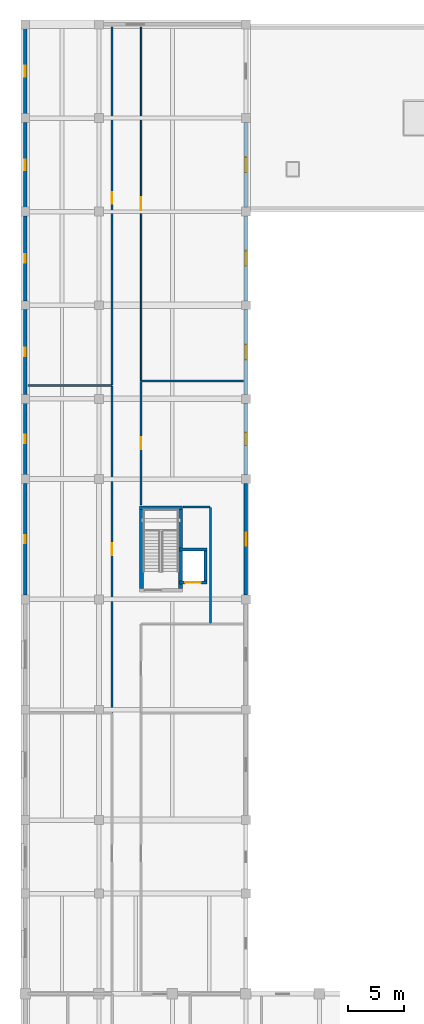
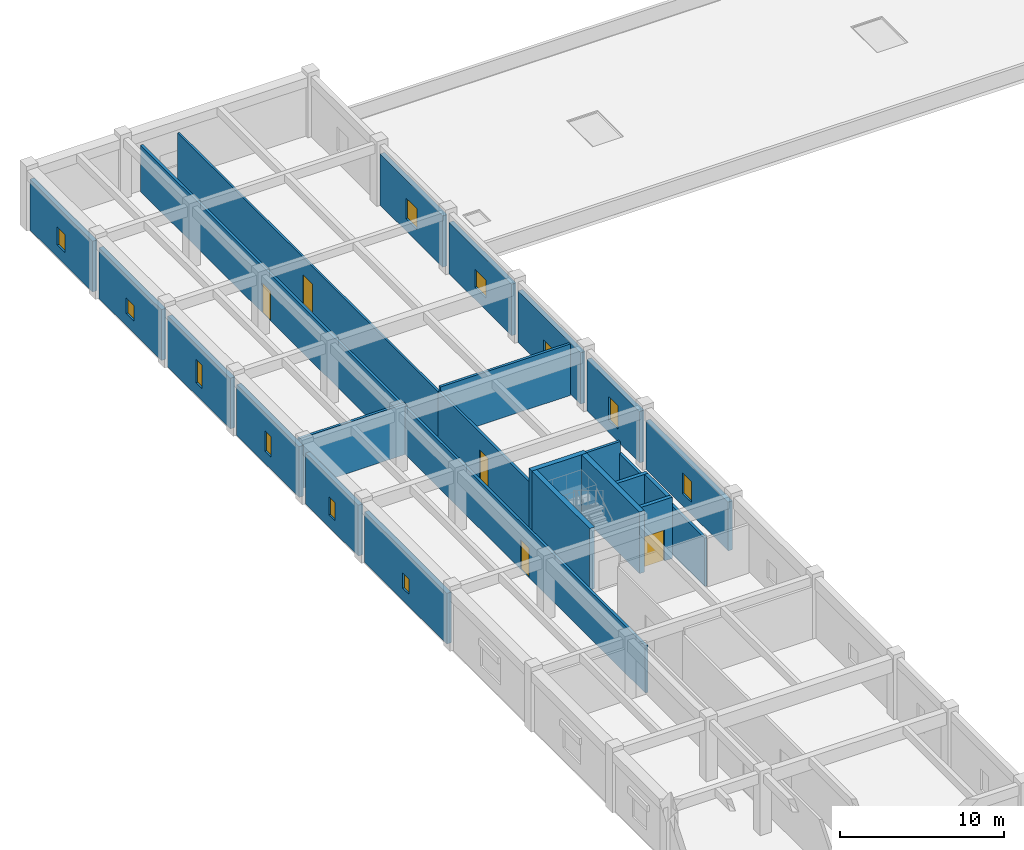
# One storey, part 51 of 65: 25 walls, 11 windows, 5 doors, 16 openings.
"""IFC4 building model written with IfcOpenShell, lengths in metres."""

from ifc_helpers import new_model, si_unit, direction, frame, frame_2d, origin, place, context, subcontext, project, spatial, rectangle, extrude, material, layer, layer_set, type_object, element, fill, save


model = new_model("IFC4")

# Units and contexts
model_context = context("Model", 3, precision=1e-05, world=origin(), true_north=direction((0.0, 1.0)))
body_context = subcontext(model_context, "Body", "Model", "MODEL_VIEW")
ifc_project = project(units=[si_unit("LENGTHUNIT", "METRE"), si_unit("AREAUNIT", "SQUARE_METRE"), si_unit("VOLUMEUNIT", "CUBIC_METRE"), si_unit("PLANEANGLEUNIT", "RADIAN"), si_unit("MASSUNIT", "GRAM", prefix="KILO")], contexts=[model_context])

# Site, building, storey
site_placement = place(None, origin())
site = spatial("IfcSite", under=ifc_project, at=site_placement, CompositionType="ELEMENT")
building_placement = place(site_placement, origin())
building = spatial("IfcBuilding", under=site, at=building_placement, Name="Miralva Faculty of Natural Sciences", CompositionType="ELEMENT")
storey_placement = place(building_placement, frame((0.0, 0.0, 10.199951171875)))
storey = spatial("IfcBuildingStorey", under=building, at=storey_placement, Name="L02", CompositionType="ELEMENT", Elevation=10.199951171875)

# Walls
ifc_material_1 = material(Name="Concrete C50/60", Category="concrete")
ifc_layer_1 = layer(ifc_material_1, 0.35009765625, Name="WL-CW02")
ifc_layer_set_1 = layer_set([ifc_layer_1], Name="Concrete C50/60")
wall_type_1 = type_object("IfcWallType", Name="WL-CW02", PredefinedType="SHEAR", material=ifc_layer_set_1)
wall_1_placement = place(storey_placement, frame((13.25, 73.625, 0.0), z_axis=(0.0, 0.0, 1.0), x_axis=(1.0, 0.0, 0.0)))
element("IfcWall", 1, at=wall_1_placement, inside=storey, type_object=wall_type_1, Name="Core C2 shear wall north L02", PredefinedType="SHEAR", context=body_context, shape_type="SweptSolid", body=[
    extrude(rectangle(XDim=3.85009765625, YDim=0.35009765625, at=frame_2d((1.925048828125, 0.0))), origin(), (0.0, 0.0, 1.0), 4.580078125),
])
for number, where, z_axis, x_axis, name in (
    (2, (13.425048828125, 66.39990234375, 0.0), (0.0, 0.0, 1.0), (0.0, 1.0, 0.0), "Core C2 shear wall west L02"),
    (3, (16.925048828125, 66.39990234375, 0.0), (0.0, 0.0, 1.0), (0.0, 1.0, 0.0), "Core C2 shear wall east L02"),
):
    element("IfcWall", number, at=place(storey_placement, frame(where, z_axis=z_axis, x_axis=x_axis)), inside=storey, type_object=wall_type_1, Name=name, PredefinedType="SHEAR", context=body_context, shape_type="SweptSolid", body=[
        extrude(rectangle(XDim=7.050048828125, YDim=0.35009765625, at=frame_2d((3.52490234375, 0.0))), origin(), (0.0, 0.0, 1.0), 4.580078125),
    ])

# Wall, opening, door
ifc_material_2 = material(Name="Concrete C40/50", Category="concrete")
ifc_layer_2 = layer(ifc_material_2, 0.25, Name="WL-CW04")
ifc_layer_set_2 = layer_set([ifc_layer_2], Name="Concrete C40/50")
wall_type_2 = type_object("IfcWallType", Name="WL-CW04", PredefinedType="SHEAR", material=ifc_layer_set_2)
wall_2_placement = place(storey_placement, frame((16.804931640625, 66.929931640625, 0.0), z_axis=(0.0, 0.0, 1.0), x_axis=(1.0, 0.0, 0.0)))
wall_2 = element("IfcWall", 4, at=wall_2_placement, inside=storey, type_object=wall_type_2, Name="Lift L-04 hoistway front wall L02", PredefinedType="SHEAR", context=body_context, shape_type="SweptSolid", body=[
    extrude(rectangle(XDim=2.489990234375, YDim=0.25, at=frame_2d((1.2451171875, 0.0))), origin(), (0.0, 0.0, 1.0), 4.56005859375),
])
opening_1_placement = place(wall_2_placement, frame((0.544921875, 0.0, 0.0)))
opening_1 = element("IfcOpeningElement", 5, at=opening_1_placement, cuts=wall_2, Name="Opening LD-04", PredefinedType="OPENING", context=body_context, shape_type="SweptSolid", body=[
    extrude(rectangle(XDim=1.39990234375, YDim=2.300048828125, at=frame_2d((0.699951171875, 1.14990234375))), frame((0.0, 0.135009765625, 0.0), z_axis=(0.0, -1.0, 0.0), x_axis=(1.0, 0.0, 0.0)), (0.0, 0.0, 1.0), 0.27001953125),
])
ifc_material_3 = material(Name="Galvanised steel", Category="steel")
door_type_1 = type_object("IfcDoorType", Name="DR-LD04", OperationType="DOUBLE_DOOR_SLIDING", PredefinedType="DOOR", material=ifc_material_3)
door_1_placement = place(opening_1_placement, frame((1.39990234375, 0.0, 0.0), z_axis=(0.0, 0.0, 1.0), x_axis=(-1.0, 0.0, 0.0)))
door_1 = element("IfcDoor", 6, at=door_1_placement, inside=storey, type_object=door_type_1, Name="Lift L-04 sliding landing door L02", OperationType="DOUBLE_DOOR_SLIDING", OverallHeight=2.300048828125, OverallWidth=1.39990234375, PredefinedType="DOOR", context=body_context, shape_type="SweptSolid", body=[
    extrude(rectangle(XDim=1.39990234375, YDim=2.300048828125, at=frame_2d((0.699951171875, 1.14990234375))), frame((0.0, 0.02490234375, 0.0), z_axis=(0.0, -1.0, 0.0), x_axis=(1.0, 0.0, 0.0)), (0.0, 0.0, 1.0), 0.050048828125),
])
fill(opening_1, door_1)

# Walls
wall_3_placement = place(storey_placement, frame((16.804931640625, 69.8701171875, 0.0), z_axis=(0.0, 0.0, 1.0), x_axis=(1.0, 0.0, 0.0)))
element("IfcWall", 7, at=wall_3_placement, inside=storey, type_object=wall_type_2, Name="Lift L-04 hoistway rear wall L02", PredefinedType="SHEAR", context=body_context, shape_type="SweptSolid", body=[
    extrude(rectangle(XDim=2.489990234375, YDim=0.25, at=frame_2d((1.2451171875, 0.0))), origin(), (0.0, 0.0, 1.0), 4.56005859375),
])
wall_4_placement = place(storey_placement, frame((19.169921875, 67.054931640625, 0.0), z_axis=(0.0, 0.0, 1.0), x_axis=(0.0, 1.0, 0.0)))
element("IfcWall", 8, at=wall_4_placement, inside=storey, type_object=wall_type_2, Name="Lift L-04 hoistway E wall L02", PredefinedType="SHEAR", context=body_context, shape_type="SweptSolid", body=[
    extrude(rectangle(XDim=2.690185546875, YDim=0.25, at=frame_2d((1.34521484375, 0.0))), origin(), (0.0, 0.0, 1.0), 4.56005859375),
])
ifc_material_4 = material(Name="Gypsum plasterboard")
ifc_layer_3 = layer(ifc_material_4, 0.179931640625, Name="WL-PT02")
ifc_layer_set_3 = layer_set([ifc_layer_3], Name="Gypsum plasterboard")
wall_type_3 = type_object("IfcWallType", Name="WL-PT02", PredefinedType="PARTITIONING", material=ifc_layer_set_3)
wall_5_placement = place(storey_placement, frame((3.22998046875, 84.60009765625, 0.0), z_axis=(0.0, 0.0, 1.0), x_axis=(1.0, 0.0, 0.0)))
element("IfcWall", 9, at=wall_5_placement, inside=storey, type_object=wall_type_3, Name="Interior partition PT-02 L02-311", PredefinedType="PARTITIONING", context=body_context, shape_type="SweptSolid", body=[
    extrude(rectangle(XDim=7.5400390625, YDim=0.179931640625, at=frame_2d((3.77001953125, 0.0))), origin(), (0.0, 0.0, 1.0), 3.775146484375),
])

# Wall, opening, door
wall_6_placement = place(storey_placement, frame((10.800048828125, 55.22998046875, 0.0), z_axis=(0.0, 0.0, 1.0), x_axis=(0.0, 1.0, 0.0)))
wall_6 = element("IfcWall", 10, at=wall_6_placement, inside=storey, type_object=wall_type_3, Name="Interior partition PT-02 L02-312", PredefinedType="PARTITIONING", context=body_context, shape_type="SweptSolid", body=[
    extrude(rectangle(XDim=29.340087890625, YDim=0.179931640625, at=frame_2d((14.669921875, 0.0))), origin(), (0.0, 0.0, 1.0), 3.51513671875),
])
opening_2_placement = place(wall_6_placement, frame((14.14501953125, 0.0, 0.0)))
opening_2 = element("IfcOpeningElement", 11, at=opening_2_placement, cuts=wall_6, Name="Opening D-15", PredefinedType="OPENING", context=body_context, shape_type="SweptSolid", body=[
    extrude(rectangle(XDim=1.050048828125, YDim=2.199951171875, at=frame_2d((0.52490234375, 1.10009765625))), frame((0.0, 0.099853515625, 0.0), z_axis=(0.0, -1.0, 0.0), x_axis=(1.0, 0.0, 0.0)), (0.0, 0.0, 1.0), 0.199951171875),
])
door_type_2 = type_object("IfcDoorType", Name="DR-DI15", OperationType="NOTDEFINED", PredefinedType="DOOR", material=ifc_material_3)
door_2_placement = place(opening_2_placement, origin())
door_2 = element("IfcDoor", 12, at=door_2_placement, inside=storey, type_object=door_type_2, Name="Interior door D-15 L02-116", OperationType="SINGLE_SWING_LEFT", OverallHeight=2.199951171875, OverallWidth=1.050048828125, PredefinedType="DOOR", context=body_context, shape_type="SweptSolid", body=[
    extrude(rectangle(XDim=1.050048828125, YDim=2.199951171875, at=frame_2d((0.52490234375, 1.10009765625))), frame((0.0, 0.02490234375, 0.0), z_axis=(0.0, -1.0, 0.0), x_axis=(1.0, 0.0, 0.0)), (0.0, 0.0, 1.0), 0.050048828125),
])
fill(opening_2, door_2)

# Wall
wall_7_placement = place(storey_placement, frame((13.429931640625, 85.0, 0.0), z_axis=(0.0, 0.0, 1.0), x_axis=(1.0, 0.0, 0.0)))
element("IfcWall", 13, at=wall_7_placement, inside=storey, type_object=wall_type_3, Name="Interior partition PT-02 L02-313", PredefinedType="PARTITIONING", context=body_context, shape_type="SweptSolid", body=[
    extrude(rectangle(XDim=9.14013671875, YDim=0.179931640625, at=frame_2d((4.570068359375, 0.0))), origin(), (0.0, 0.0, 1.0), 3.824951171875),
])

# Wall, opening, door
wall_8_placement = place(storey_placement, frame((13.39990234375, 73.853271484375, 0.0), z_axis=(0.0, 0.0, 1.0), x_axis=(0.0, 1.0, 0.0)))
wall_8 = element("IfcWall", 14, at=wall_8_placement, inside=storey, type_object=wall_type_3, Name="Interior partition PT-02 L02-314", PredefinedType="PARTITIONING", context=body_context, shape_type="SweptSolid", body=[
    extrude(rectangle(XDim=11.11669921875, YDim=0.179931640625, at=frame_2d((5.558349609375, 0.0))), origin(), (0.0, 0.0, 1.0), 3.51513671875),
])
opening_3_placement = place(wall_8_placement, frame((5.033447265625, 0.0, 0.0)))
opening_3 = element("IfcOpeningElement", 15, at=opening_3_placement, cuts=wall_8, Name="Opening D-15", PredefinedType="OPENING", context=body_context, shape_type="SweptSolid", body=[
    extrude(rectangle(XDim=1.050048828125, YDim=2.199951171875, at=frame_2d((0.52490234375, 1.10009765625))), frame((0.0, 0.099853515625, 0.0), z_axis=(0.0, -1.0, 0.0), x_axis=(1.0, 0.0, 0.0)), (0.0, 0.0, 1.0), 0.199951171875),
])
door_3_placement = place(opening_3_placement, origin())
door_3 = element("IfcDoor", 16, at=door_3_placement, inside=storey, type_object=door_type_2, Name="Interior door D-15 L02-117", OperationType="SINGLE_SWING_RIGHT", OverallHeight=2.199951171875, OverallWidth=1.050048828125, PredefinedType="DOOR", context=body_context, shape_type="SweptSolid", body=[
    extrude(rectangle(XDim=1.050048828125, YDim=2.199951171875, at=frame_2d((0.52490234375, 1.10009765625))), frame((0.0, 0.02490234375, 0.0), z_axis=(0.0, -1.0, 0.0), x_axis=(1.0, 0.0, 0.0)), (0.0, 0.0, 1.0), 0.050048828125),
])
fill(opening_3, door_3)

# Walls
wall_9_placement = place(storey_placement, frame((19.60009765625, 63.22998046875, 0.0), z_axis=(0.0, 0.0, 1.0), x_axis=(0.0, 1.0, 0.0)))
element("IfcWall", 17, at=wall_9_placement, inside=storey, type_object=wall_type_3, Name="Interior partition PT-02 L02-315", PredefinedType="PARTITIONING", context=body_context, shape_type="SweptSolid", body=[
    extrude(rectangle(XDim=10.43994140625, YDim=0.179931640625, at=frame_2d((5.219970703125, 0.0))), origin(), (0.0, 0.0, 1.0), 3.594970703125),
])
wall_10_placement = place(storey_placement, frame((17.140380859375, 73.699951171875, 0.0), z_axis=(0.0, 0.0, 1.0), x_axis=(1.0, 0.0, 0.0)))
element("IfcWall", 18, at=wall_10_placement, inside=storey, type_object=wall_type_3, Name="Interior partition PT-02 L02-316", PredefinedType="PARTITIONING", context=body_context, shape_type="SweptSolid", body=[
    extrude(rectangle(XDim=2.4296875, YDim=0.179931640625, at=frame_2d((1.21484375, 0.0))), origin(), (0.0, 0.0, 1.0), 4.47998046875),
])

# Wall, opening, door
wall_11_placement = place(storey_placement, frame((10.800048828125, 84.6298828125, 0.0), z_axis=(0.0, 0.0, 1.0), x_axis=(0.0, 1.0, 0.0)))
wall_11 = element("IfcWall", 19, at=wall_11_placement, inside=storey, type_object=wall_type_3, Name="Interior partition PT-02 L02-317", PredefinedType="PARTITIONING", context=body_context, shape_type="SweptSolid", body=[
    extrude(rectangle(XDim=32.14013671875, YDim=0.179931640625, at=frame_2d((16.070068359375, 0.0))), origin(), (0.0, 0.0, 1.0), 3.455078125),
])
opening_4_placement = place(wall_11_placement, frame((16.264892578125, 0.0, 0.0)))
opening_4 = element("IfcOpeningElement", 20, at=opening_4_placement, cuts=wall_11, Name="Opening D-15", PredefinedType="OPENING", context=body_context, shape_type="SweptSolid", body=[
    extrude(rectangle(XDim=1.050048828125, YDim=2.199951171875, at=frame_2d((0.52490234375, 1.10009765625))), frame((0.0, 0.099853515625, 0.0), z_axis=(0.0, -1.0, 0.0), x_axis=(1.0, 0.0, 0.0)), (0.0, 0.0, 1.0), 0.199951171875),
])
door_4_placement = place(opening_4_placement, origin())
door_4 = element("IfcDoor", 21, at=door_4_placement, inside=storey, type_object=door_type_2, Name="Interior door D-15 L02-118", OperationType="SINGLE_SWING_LEFT", OverallHeight=2.199951171875, OverallWidth=1.050048828125, PredefinedType="DOOR", context=body_context, shape_type="SweptSolid", body=[
    extrude(rectangle(XDim=1.050048828125, YDim=2.199951171875, at=frame_2d((0.52490234375, 1.10009765625))), frame((0.0, 0.02490234375, 0.0), z_axis=(0.0, -1.0, 0.0), x_axis=(1.0, 0.0, 0.0)), (0.0, 0.0, 1.0), 0.050048828125),
])
fill(opening_4, door_4)

ifc_layer_4 = layer(ifc_material_4, 0.139892578125, Name="WL-PT04")
ifc_layer_set_4 = layer_set([ifc_layer_4], Name="Gypsum plasterboard")
wall_type_4 = type_object("IfcWallType", Name="WL-PT04", PredefinedType="PARTITIONING", material=ifc_layer_set_4)
wall_12_placement = place(storey_placement, frame((13.39990234375, 85.030029296875, 0.0), z_axis=(0.0, 0.0, 1.0), x_axis=(0.0, 1.0, 0.0)))
wall_12 = element("IfcWall", 22, at=wall_12_placement, inside=storey, type_object=wall_type_4, Name="Interior partition PT-04 L02-318", PredefinedType="PARTITIONING", context=body_context, shape_type="SweptSolid", body=[
    extrude(rectangle(XDim=31.739990234375, YDim=0.139892578125, at=frame_2d((15.8701171875, 0.0))), origin(), (0.0, 0.0, 1.0), 3.455078125),
])
opening_5_placement = place(wall_12_placement, frame((15.294921875, 0.0, 0.0)))
opening_5 = element("IfcOpeningElement", 23, at=opening_5_placement, cuts=wall_12, Name="Opening D-24", PredefinedType="OPENING", context=body_context, shape_type="SweptSolid", body=[
    extrude(rectangle(XDim=1.14990234375, YDim=2.14990234375, at=frame_2d((0.574951171875, 1.074951171875))), frame((0.0, 0.079833984375, 0.0), z_axis=(0.0, -1.0, 0.0), x_axis=(1.0, 0.0, 0.0)), (0.0, 0.0, 1.0), 0.159912109375),
])
ifc_material_5 = material(Name="Anodised aluminium", Category="aluminium")
door_type_3 = type_object("IfcDoorType", Name="DR-DI24", OperationType="NOTDEFINED", PredefinedType="DOOR", material=ifc_material_5)
door_5_placement = place(opening_5_placement, origin())
door_5 = element("IfcDoor", 24, at=door_5_placement, inside=storey, type_object=door_type_3, Name="Interior door D-24 L02-119", OperationType="SINGLE_SWING_RIGHT", OverallHeight=2.14990234375, OverallWidth=1.14990234375, PredefinedType="DOOR", context=body_context, shape_type="SweptSolid", body=[
    extrude(rectangle(XDim=1.14990234375, YDim=2.14990234375, at=frame_2d((0.574951171875, 1.074951171875))), frame((0.0, 0.02490234375, 0.0), z_axis=(0.0, -1.0, 0.0), x_axis=(1.0, 0.0, 0.0)), (0.0, 0.0, 1.0), 0.050048828125),
])
fill(opening_5, door_5)

# Wall, opening, window
ifc_material_6 = material(Name="Precast concrete C40/50", Category="concrete")
ifc_layer_5 = layer(ifc_material_6, 0.320068359375, Name="WL-WT02")
ifc_layer_set_5 = layer_set([ifc_layer_5], Name="Precast concrete C40/50")
wall_type_5 = type_object("IfcWallType", Name="WL-WT02", PredefinedType="SOLIDWALL", material=ifc_layer_set_5)
wall_13_placement = place(storey_placement, frame((3.0, 65.784912109375, 0.0), z_axis=(0.0, 0.0, 1.0), x_axis=(0.0, 1.0, 0.0)))
wall_13 = element("IfcWall", 25, at=wall_13_placement, inside=storey, type_object=wall_type_5, Name="Exterior wall L02-216", PredefinedType="SOLIDWALL", context=body_context, shape_type="SweptSolid", body=[
    extrude(rectangle(XDim=10.030029296875, YDim=0.320068359375, at=frame_2d((5.01513671875, 0.0))), origin(), (0.0, 0.0, 1.0), 3.775146484375),
])
opening_6_placement = place(wall_13_placement, frame((4.639892578125, 0.0, 0.89990234375)))
opening_6 = element("IfcOpeningElement", 26, at=opening_6_placement, cuts=wall_13, Name="Opening W-41", PredefinedType="OPENING", context=body_context, shape_type="SweptSolid", body=[
    extrude(rectangle(XDim=0.75, YDim=1.14990234375, at=frame_2d((0.375, 0.574951171875))), frame((0.0, 0.169921875, 0.0), z_axis=(0.0, -1.0, 0.0), x_axis=(1.0, 0.0, 0.0)), (0.0, 0.0, 1.0), 0.340087890625),
])
ifc_material_7 = material(Name="Laminated solar-control glass", Category="glass")
window_type_1 = type_object("IfcWindowType", Name="WN-W41", PartitioningType="DOUBLE_PANEL_VERTICAL", PredefinedType="WINDOW", material=ifc_material_7)
window_1_placement = place(opening_6_placement, origin())
window_1 = element("IfcWindow", 27, at=window_1_placement, inside=storey, type_object=window_type_1, Name="Window W-41 L02-153", OverallHeight=1.14990234375, OverallWidth=0.75, PartitioningType="DOUBLE_PANEL_VERTICAL", PredefinedType="WINDOW", context=body_context, shape_type="SweptSolid", body=[
    extrude(rectangle(XDim=0.75, YDim=1.14990234375, at=frame_2d((0.375, 0.574951171875))), frame((0.0, 0.030029296875, 0.0), z_axis=(0.0, -1.0, 0.0), x_axis=(1.0, 0.0, 0.0)), (0.0, 0.0, 1.0), 0.06005859375),
])
fill(opening_6, window_1)

wall_14_placement = place(storey_placement, frame((3.0, 76.5849609375, 0.0), z_axis=(0.0, 0.0, 1.0), x_axis=(0.0, 1.0, 0.0)))
wall_14 = element("IfcWall", 28, at=wall_14_placement, inside=storey, type_object=wall_type_5, Name="Exterior wall L02-217", PredefinedType="SOLIDWALL", context=body_context, shape_type="SweptSolid", body=[
    extrude(rectangle(XDim=6.429931640625, YDim=0.320068359375, at=frame_2d((3.21484375, 0.0))), origin(), (0.0, 0.0, 1.0), 3.775146484375),
])
opening_7_placement = place(wall_14_placement, frame((2.840087890625, 0.0, 0.89990234375)))
opening_7 = element("IfcOpeningElement", 29, at=opening_7_placement, cuts=wall_14, Name="Opening W-42", PredefinedType="OPENING", context=body_context, shape_type="SweptSolid", body=[
    extrude(rectangle(XDim=0.75, YDim=1.35009765625, at=frame_2d((0.375, 0.675048828125))), frame((0.0, 0.169921875, 0.0), z_axis=(0.0, -1.0, 0.0), x_axis=(1.0, 0.0, 0.0)), (0.0, 0.0, 1.0), 0.340087890625),
])
window_type_2 = type_object("IfcWindowType", Name="WN-W42", PartitioningType="DOUBLE_PANEL_VERTICAL", PredefinedType="WINDOW", material=ifc_material_7)
window_2_placement = place(opening_7_placement, origin())
window_2 = element("IfcWindow", 30, at=window_2_placement, inside=storey, type_object=window_type_2, Name="Window W-42 L02-154", OverallHeight=1.35009765625, OverallWidth=0.75, PartitioningType="DOUBLE_PANEL_VERTICAL", PredefinedType="WINDOW", context=body_context, shape_type="SweptSolid", body=[
    extrude(rectangle(XDim=0.75, YDim=1.35009765625, at=frame_2d((0.375, 0.675048828125))), frame((0.0, 0.030029296875, 0.0), z_axis=(0.0, -1.0, 0.0), x_axis=(1.0, 0.0, 0.0)), (0.0, 0.0, 1.0), 0.06005859375),
])
fill(opening_7, window_2)

wall_15_placement = place(storey_placement, frame((3.0, 83.784912109375, 0.0), z_axis=(0.0, 0.0, 1.0), x_axis=(0.0, 1.0, 0.0)))
wall_15 = element("IfcWall", 31, at=wall_15_placement, inside=storey, type_object=wall_type_5, Name="Exterior wall L02-218", PredefinedType="SOLIDWALL", context=body_context, shape_type="SweptSolid", body=[
    extrude(rectangle(XDim=7.630126953125, YDim=0.320068359375, at=frame_2d((3.81494140625, 0.0))), origin(), (0.0, 0.0, 1.0), 3.775146484375),
])
opening_8_placement = place(wall_15_placement, frame((3.43994140625, 0.0, 0.89990234375)))
opening_8 = element("IfcOpeningElement", 32, at=opening_8_placement, cuts=wall_15, Name="Opening W-43", PredefinedType="OPENING", context=body_context, shape_type="SweptSolid", body=[
    extrude(rectangle(XDim=0.75, YDim=1.550048828125, at=frame_2d((0.375, 0.77490234375))), frame((0.0, 0.169921875, 0.0), z_axis=(0.0, -1.0, 0.0), x_axis=(1.0, 0.0, 0.0)), (0.0, 0.0, 1.0), 0.340087890625),
])
window_type_3 = type_object("IfcWindowType", Name="WN-W43", PartitioningType="DOUBLE_PANEL_VERTICAL", PredefinedType="WINDOW", material=ifc_material_7)
window_3_placement = place(opening_8_placement, origin())
window_3 = element("IfcWindow", 33, at=window_3_placement, inside=storey, type_object=window_type_3, Name="Window W-43 L02-155", OverallHeight=1.550048828125, OverallWidth=0.75, PartitioningType="DOUBLE_PANEL_VERTICAL", PredefinedType="WINDOW", context=body_context, shape_type="SweptSolid", body=[
    extrude(rectangle(XDim=0.75, YDim=1.550048828125, at=frame_2d((0.375, 0.77490234375))), frame((0.0, 0.030029296875, 0.0), z_axis=(0.0, -1.0, 0.0), x_axis=(1.0, 0.0, 0.0)), (0.0, 0.0, 1.0), 0.06005859375),
])
fill(opening_8, window_3)

wall_16_placement = place(storey_placement, frame((3.0, 92.18505859375, 0.0), z_axis=(0.0, 0.0, 1.0), x_axis=(0.0, 1.0, 0.0)))
wall_16 = element("IfcWall", 34, at=wall_16_placement, inside=storey, type_object=wall_type_5, Name="Exterior wall L02-219", PredefinedType="SOLIDWALL", context=body_context, shape_type="SweptSolid", body=[
    extrude(rectangle(XDim=7.6298828125, YDim=0.320068359375, at=frame_2d((3.81494140625, 0.0))), origin(), (0.0, 0.0, 1.0), 3.775146484375),
])
opening_9_placement = place(wall_16_placement, frame((3.43994140625, 0.0, 0.89990234375)))
opening_9 = element("IfcOpeningElement", 35, at=opening_9_placement, cuts=wall_16, Name="Opening W-44", PredefinedType="OPENING", context=body_context, shape_type="SweptSolid", body=[
    extrude(rectangle(XDim=0.75, YDim=1.75, at=frame_2d((0.375, 0.875))), frame((0.0, 0.169921875, 0.0), z_axis=(0.0, -1.0, 0.0), x_axis=(1.0, 0.0, 0.0)), (0.0, 0.0, 1.0), 0.340087890625),
])
window_type_4 = type_object("IfcWindowType", Name="WN-W44", PartitioningType="DOUBLE_PANEL_VERTICAL", PredefinedType="WINDOW", material=ifc_material_7)
window_4_placement = place(opening_9_placement, origin())
window_4 = element("IfcWindow", 36, at=window_4_placement, inside=storey, type_object=window_type_4, Name="Window W-44 L02-156", OverallHeight=1.75, OverallWidth=0.75, PartitioningType="DOUBLE_PANEL_VERTICAL", PredefinedType="WINDOW", context=body_context, shape_type="SweptSolid", body=[
    extrude(rectangle(XDim=0.75, YDim=1.75, at=frame_2d((0.375, 0.875))), frame((0.0, 0.030029296875, 0.0), z_axis=(0.0, -1.0, 0.0), x_axis=(1.0, 0.0, 0.0)), (0.0, 0.0, 1.0), 0.06005859375),
])
fill(opening_9, window_4)

wall_17_placement = place(storey_placement, frame((3.0, 100.5849609375, 0.0), z_axis=(0.0, 0.0, 1.0), x_axis=(0.0, 1.0, 0.0)))
wall_17 = element("IfcWall", 37, at=wall_17_placement, inside=storey, type_object=wall_type_5, Name="Exterior wall L02-220", PredefinedType="SOLIDWALL", context=body_context, shape_type="SweptSolid", body=[
    extrude(rectangle(XDim=7.630126953125, YDim=0.320068359375, at=frame_2d((3.81494140625, 0.0))), origin(), (0.0, 0.0, 1.0), 3.775146484375),
])
opening_10_placement = place(wall_17_placement, frame((3.340087890625, 0.0, 0.89990234375)))
opening_10 = element("IfcOpeningElement", 38, at=opening_10_placement, cuts=wall_17, Name="Opening W-45", PredefinedType="OPENING", context=body_context, shape_type="SweptSolid", body=[
    extrude(rectangle(XDim=0.949951171875, YDim=1.14990234375, at=frame_2d((0.47509765625, 0.574951171875))), frame((0.0, 0.169921875, 0.0), z_axis=(0.0, -1.0, 0.0), x_axis=(1.0, 0.0, 0.0)), (0.0, 0.0, 1.0), 0.340087890625),
])
window_type_5 = type_object("IfcWindowType", Name="WN-W45", PartitioningType="DOUBLE_PANEL_VERTICAL", PredefinedType="WINDOW", material=ifc_material_7)
window_5_placement = place(opening_10_placement, origin())
window_5 = element("IfcWindow", 39, at=window_5_placement, inside=storey, type_object=window_type_5, Name="Window W-45 L02-157", OverallHeight=1.14990234375, OverallWidth=0.949951171875, PartitioningType="DOUBLE_PANEL_VERTICAL", PredefinedType="WINDOW", context=body_context, shape_type="SweptSolid", body=[
    extrude(rectangle(XDim=0.949951171875, YDim=1.14990234375, at=frame_2d((0.47509765625, 0.574951171875))), frame((0.0, 0.030029296875, 0.0), z_axis=(0.0, -1.0, 0.0), x_axis=(1.0, 0.0, 0.0)), (0.0, 0.0, 1.0), 0.06005859375),
])
fill(opening_10, window_5)

wall_18_placement = place(storey_placement, frame((3.0, 108.985107421875, 0.0), z_axis=(0.0, 0.0, 1.0), x_axis=(0.0, 1.0, 0.0)))
wall_18 = element("IfcWall", 40, at=wall_18_placement, inside=storey, type_object=wall_type_5, Name="Exterior wall L02-221", PredefinedType="SOLIDWALL", context=body_context, shape_type="SweptSolid", body=[
    extrude(rectangle(XDim=7.6298828125, YDim=0.320068359375, at=frame_2d((3.81494140625, 0.0))), origin(), (0.0, 0.0, 1.0), 3.775146484375),
])
opening_11_placement = place(wall_18_placement, frame((3.340087890625, 0.0, 0.89990234375)))
opening_11 = element("IfcOpeningElement", 41, at=opening_11_placement, cuts=wall_18, Name="Opening W-46", PredefinedType="OPENING", context=body_context, shape_type="SweptSolid", body=[
    extrude(rectangle(XDim=0.949951171875, YDim=1.35009765625, at=frame_2d((0.47509765625, 0.675048828125))), frame((0.0, 0.169921875, 0.0), z_axis=(0.0, -1.0, 0.0), x_axis=(1.0, 0.0, 0.0)), (0.0, 0.0, 1.0), 0.340087890625),
])
window_type_6 = type_object("IfcWindowType", Name="WN-W46", PartitioningType="DOUBLE_PANEL_VERTICAL", PredefinedType="WINDOW", material=ifc_material_7)
window_6_placement = place(opening_11_placement, origin())
window_6 = element("IfcWindow", 42, at=window_6_placement, inside=storey, type_object=window_type_6, Name="Window W-46 L02-158", OverallHeight=1.35009765625, OverallWidth=0.949951171875, PartitioningType="DOUBLE_PANEL_VERTICAL", PredefinedType="WINDOW", context=body_context, shape_type="SweptSolid", body=[
    extrude(rectangle(XDim=0.949951171875, YDim=1.35009765625, at=frame_2d((0.47509765625, 0.675048828125))), frame((0.0, 0.030029296875, 0.0), z_axis=(0.0, -1.0, 0.0), x_axis=(1.0, 0.0, 0.0)), (0.0, 0.0, 1.0), 0.06005859375),
])
fill(opening_11, window_6)

wall_19_placement = place(storey_placement, frame((22.800048828125, 65.784912109375, 0.0), z_axis=(0.0, 0.0, 1.0), x_axis=(0.0, 1.0, 0.0)))
wall_19 = element("IfcWall", 43, at=wall_19_placement, inside=storey, type_object=wall_type_5, Name="Exterior wall L02-226", PredefinedType="SOLIDWALL", context=body_context, shape_type="SweptSolid", body=[
    extrude(rectangle(XDim=10.030029296875, YDim=0.320068359375, at=frame_2d((5.01513671875, 0.0))), origin(), (0.0, 0.0, 1.0), 3.625),
])
opening_12_placement = place(wall_19_placement, frame((4.43994140625, 0.0, 0.89990234375)))
opening_12 = element("IfcOpeningElement", 44, at=opening_12_placement, cuts=wall_19, Name="Opening W-51", PredefinedType="OPENING", context=body_context, shape_type="SweptSolid", body=[
    extrude(rectangle(XDim=1.14990234375, YDim=1.550048828125, at=frame_2d((0.574951171875, 0.77490234375))), frame((0.0, 0.169921875, 0.0), z_axis=(0.0, -1.0, 0.0), x_axis=(1.0, 0.0, 0.0)), (0.0, 0.0, 1.0), 0.340087890625),
])
window_type_7 = type_object("IfcWindowType", Name="WN-W51", PartitioningType="DOUBLE_PANEL_VERTICAL", PredefinedType="WINDOW", material=ifc_material_7)
window_7_placement = place(opening_12_placement, frame((1.14990234375, 0.0, 0.0), z_axis=(0.0, 0.0, 1.0), x_axis=(-1.0, 0.0, 0.0)))
window_7 = element("IfcWindow", 45, at=window_7_placement, inside=storey, type_object=window_type_7, Name="Window W-51 L02-163", OverallHeight=1.550048828125, OverallWidth=1.14990234375, PartitioningType="DOUBLE_PANEL_VERTICAL", PredefinedType="WINDOW", context=body_context, shape_type="SweptSolid", body=[
    extrude(rectangle(XDim=1.14990234375, YDim=1.550048828125, at=frame_2d((0.574951171875, 0.77490234375))), frame((0.0, 0.030029296875, 0.0), z_axis=(0.0, -1.0, 0.0), x_axis=(1.0, 0.0, 0.0)), (0.0, 0.0, 1.0), 0.06005859375),
])
fill(opening_12, window_7)

wall_20_placement = place(storey_placement, frame((22.800048828125, 76.5849609375, 0.0), z_axis=(0.0, 0.0, 1.0), x_axis=(0.0, 1.0, 0.0)))
wall_20 = element("IfcWall", 46, at=wall_20_placement, inside=storey, type_object=wall_type_5, Name="Exterior wall L02-227", PredefinedType="SOLIDWALL", context=body_context, shape_type="SweptSolid", body=[
    extrude(rectangle(XDim=6.429931640625, YDim=0.320068359375, at=frame_2d((3.21484375, 0.0))), origin(), (0.0, 0.0, 1.0), 3.824951171875),
])
opening_13_placement = place(wall_20_placement, frame((2.639892578125, 0.0, 0.89990234375)))
opening_13 = element("IfcOpeningElement", 47, at=opening_13_placement, cuts=wall_20, Name="Opening W-52", PredefinedType="OPENING", context=body_context, shape_type="SweptSolid", body=[
    extrude(rectangle(XDim=1.14990234375, YDim=1.75, at=frame_2d((0.574951171875, 0.875))), frame((0.0, 0.169921875, 0.0), z_axis=(0.0, -1.0, 0.0), x_axis=(1.0, 0.0, 0.0)), (0.0, 0.0, 1.0), 0.340087890625),
])
window_type_8 = type_object("IfcWindowType", Name="WN-W52", PartitioningType="DOUBLE_PANEL_VERTICAL", PredefinedType="WINDOW", material=ifc_material_7)
window_8_placement = place(opening_13_placement, frame((1.14990234375, 0.0, 0.0), z_axis=(0.0, 0.0, 1.0), x_axis=(-1.0, 0.0, 0.0)))
window_8 = element("IfcWindow", 48, at=window_8_placement, inside=storey, type_object=window_type_8, Name="Window W-52 L02-164", OverallHeight=1.75, OverallWidth=1.14990234375, PartitioningType="DOUBLE_PANEL_VERTICAL", PredefinedType="WINDOW", context=body_context, shape_type="SweptSolid", body=[
    extrude(rectangle(XDim=1.14990234375, YDim=1.75, at=frame_2d((0.574951171875, 0.875))), frame((0.0, 0.030029296875, 0.0), z_axis=(0.0, -1.0, 0.0), x_axis=(1.0, 0.0, 0.0)), (0.0, 0.0, 1.0), 0.06005859375),
])
fill(opening_13, window_8)

wall_21_placement = place(storey_placement, frame((22.800048828125, 83.784912109375, 0.0), z_axis=(0.0, 0.0, 1.0), x_axis=(0.0, 1.0, 0.0)))
wall_21 = element("IfcWall", 49, at=wall_21_placement, inside=storey, type_object=wall_type_5, Name="Exterior wall L02-228", PredefinedType="SOLIDWALL", context=body_context, shape_type="SweptSolid", body=[
    extrude(rectangle(XDim=7.630126953125, YDim=0.320068359375, at=frame_2d((3.81494140625, 0.0))), origin(), (0.0, 0.0, 1.0), 3.824951171875),
])
opening_14_placement = place(wall_21_placement, frame((3.139892578125, 0.0, 0.89990234375)))
opening_14 = element("IfcOpeningElement", 50, at=opening_14_placement, cuts=wall_21, Name="Opening W-53", PredefinedType="OPENING", context=body_context, shape_type="SweptSolid", body=[
    extrude(rectangle(XDim=1.35009765625, YDim=1.14990234375, at=frame_2d((0.675048828125, 0.574951171875))), frame((0.0, 0.169921875, 0.0), z_axis=(0.0, -1.0, 0.0), x_axis=(1.0, 0.0, 0.0)), (0.0, 0.0, 1.0), 0.340087890625),
])
window_type_9 = type_object("IfcWindowType", Name="WN-W53", PartitioningType="DOUBLE_PANEL_VERTICAL", PredefinedType="WINDOW", material=ifc_material_7)
window_9_placement = place(opening_14_placement, frame((1.35009765625, 0.0, 0.0), z_axis=(0.0, 0.0, 1.0), x_axis=(-1.0, 0.0, 0.0)))
window_9 = element("IfcWindow", 51, at=window_9_placement, inside=storey, type_object=window_type_9, Name="Window W-53 L02-165", OverallHeight=1.14990234375, OverallWidth=1.35009765625, PartitioningType="DOUBLE_PANEL_VERTICAL", PredefinedType="WINDOW", context=body_context, shape_type="SweptSolid", body=[
    extrude(rectangle(XDim=1.35009765625, YDim=1.14990234375, at=frame_2d((0.675048828125, 0.574951171875))), frame((0.0, 0.030029296875, 0.0), z_axis=(0.0, -1.0, 0.0), x_axis=(1.0, 0.0, 0.0)), (0.0, 0.0, 1.0), 0.06005859375),
])
fill(opening_14, window_9)

wall_22_placement = place(storey_placement, frame((22.800048828125, 92.18505859375, 0.0), z_axis=(0.0, 0.0, 1.0), x_axis=(0.0, 1.0, 0.0)))
wall_22 = element("IfcWall", 52, at=wall_22_placement, inside=storey, type_object=wall_type_5, Name="Exterior wall L02-229", PredefinedType="SOLIDWALL", context=body_context, shape_type="SweptSolid", body=[
    extrude(rectangle(XDim=7.6298828125, YDim=0.320068359375, at=frame_2d((3.81494140625, 0.0))), origin(), (0.0, 0.0, 1.0), 3.824951171875),
])
opening_15_placement = place(wall_22_placement, frame((3.139892578125, 0.0, 0.89990234375)))
opening_15 = element("IfcOpeningElement", 53, at=opening_15_placement, cuts=wall_22, Name="Opening W-54", PredefinedType="OPENING", context=body_context, shape_type="SweptSolid", body=[
    extrude(rectangle(XDim=1.35009765625, YDim=1.35009765625, at=frame_2d((0.675048828125, 0.675048828125))), frame((0.0, 0.169921875, 0.0), z_axis=(0.0, -1.0, 0.0), x_axis=(1.0, 0.0, 0.0)), (0.0, 0.0, 1.0), 0.340087890625),
])
window_type_10 = type_object("IfcWindowType", Name="WN-W54", PartitioningType="DOUBLE_PANEL_VERTICAL", PredefinedType="WINDOW", material=ifc_material_7)
window_10_placement = place(opening_15_placement, frame((1.35009765625, 0.0, 0.0), z_axis=(0.0, 0.0, 1.0), x_axis=(-1.0, 0.0, 0.0)))
window_10 = element("IfcWindow", 54, at=window_10_placement, inside=storey, type_object=window_type_10, Name="Window W-54 L02-166", OverallHeight=1.35009765625, OverallWidth=1.35009765625, PartitioningType="DOUBLE_PANEL_VERTICAL", PredefinedType="WINDOW", context=body_context, shape_type="SweptSolid", body=[
    extrude(rectangle(XDim=1.35009765625, YDim=1.35009765625, at=frame_2d((0.675048828125, 0.675048828125))), frame((0.0, 0.030029296875, 0.0), z_axis=(0.0, -1.0, 0.0), x_axis=(1.0, 0.0, 0.0)), (0.0, 0.0, 1.0), 0.06005859375),
])
fill(opening_15, window_10)

wall_23_placement = place(storey_placement, frame((22.800048828125, 100.5849609375, 0.0), z_axis=(0.0, 0.0, 1.0), x_axis=(0.0, 1.0, 0.0)))
wall_23 = element("IfcWall", 55, at=wall_23_placement, inside=storey, type_object=wall_type_5, Name="Exterior wall L02-230", PredefinedType="SOLIDWALL", context=body_context, shape_type="SweptSolid", body=[
    extrude(rectangle(XDim=7.630126953125, YDim=0.320068359375, at=frame_2d((3.81494140625, 0.0))), origin(), (0.0, 0.0, 1.0), 3.824951171875),
])
opening_16_placement = place(wall_23_placement, frame((3.139892578125, 0.0, 0.89990234375)))
opening_16 = element("IfcOpeningElement", 56, at=opening_16_placement, cuts=wall_23, Name="Opening W-55", PredefinedType="OPENING", context=body_context, shape_type="SweptSolid", body=[
    extrude(rectangle(XDim=1.35009765625, YDim=1.550048828125, at=frame_2d((0.675048828125, 0.77490234375))), frame((0.0, 0.169921875, 0.0), z_axis=(0.0, -1.0, 0.0), x_axis=(1.0, 0.0, 0.0)), (0.0, 0.0, 1.0), 0.340087890625),
])
window_type_11 = type_object("IfcWindowType", Name="WN-W55", PartitioningType="DOUBLE_PANEL_VERTICAL", PredefinedType="WINDOW", material=ifc_material_7)
window_11_placement = place(opening_16_placement, frame((1.35009765625, 0.0, 0.0), z_axis=(0.0, 0.0, 1.0), x_axis=(-1.0, 0.0, 0.0)))
window_11 = element("IfcWindow", 57, at=window_11_placement, inside=storey, type_object=window_type_11, Name="Window W-55 L02-167", OverallHeight=1.550048828125, OverallWidth=1.35009765625, PartitioningType="DOUBLE_PANEL_VERTICAL", PredefinedType="WINDOW", context=body_context, shape_type="SweptSolid", body=[
    extrude(rectangle(XDim=1.35009765625, YDim=1.550048828125, at=frame_2d((0.675048828125, 0.77490234375))), frame((0.0, 0.030029296875, 0.0), z_axis=(0.0, -1.0, 0.0), x_axis=(1.0, 0.0, 0.0)), (0.0, 0.0, 1.0), 0.06005859375),
])
fill(opening_16, window_11)

save(model, "model.ifc")
